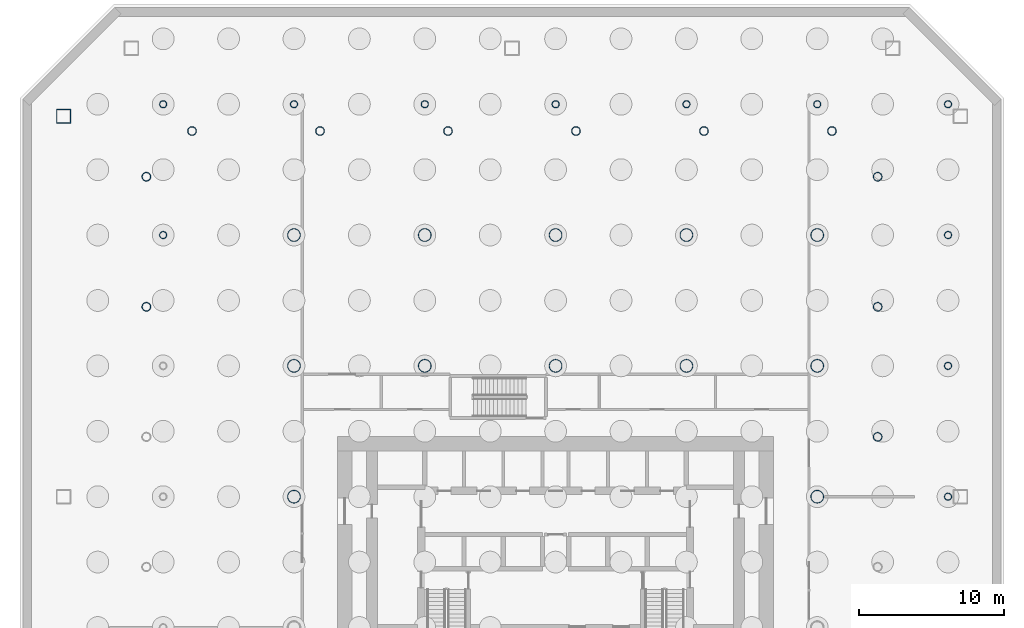
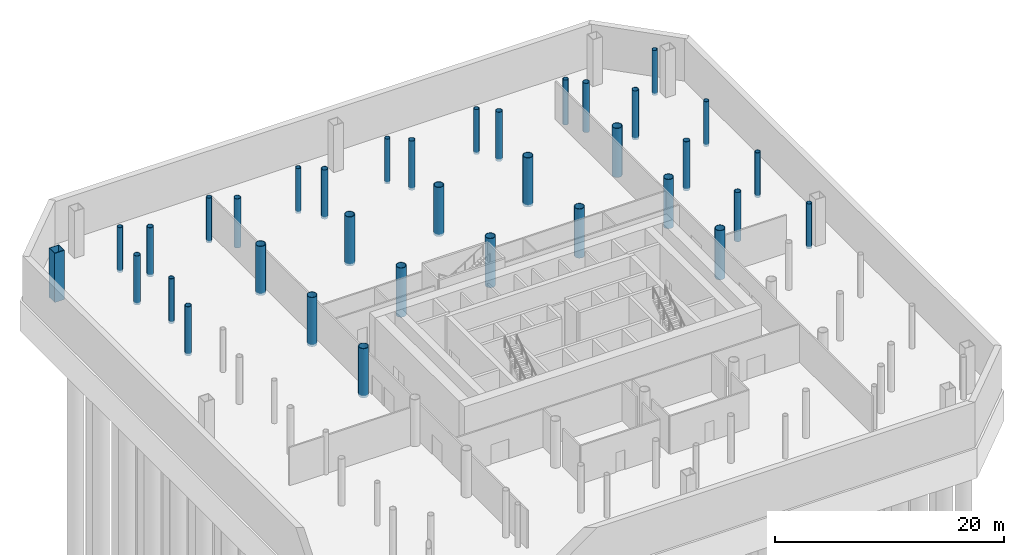
# One storey, part 3 of 10: 35 columns.
"""IFC4 building model written with IfcOpenShell, lengths in metres."""

from ifc_helpers import new_model, si_unit, direction, frame, origin, origin_2d, place, context, subcontext, project, spatial, hollow_rectangle, hollow_circle, extrude, material, material_profile, profile_set, type_object, element, save


model = new_model("IFC4")

# Units and contexts
model_context = context("Model", 3, precision=1e-05, world=origin(), true_north=direction((0.0, 1.0)))
body_context = subcontext(model_context, "Body", "Model", "MODEL_VIEW")
ifc_project = project(units=[si_unit("LENGTHUNIT", "METRE"), si_unit("AREAUNIT", "SQUARE_METRE"), si_unit("VOLUMEUNIT", "CUBIC_METRE"), si_unit("PLANEANGLEUNIT", "RADIAN"), si_unit("MASSUNIT", "GRAM", prefix="KILO")], contexts=[model_context])

# Site, building, storey
site_placement = place(None, origin())
site = spatial("IfcSite", under=ifc_project, at=site_placement, CompositionType="ELEMENT")
building_placement = place(site_placement, origin())
building = spatial("IfcBuilding", under=site, at=building_placement, Name="Tskaro Facet Tower", CompositionType="ELEMENT")
storey_placement = place(building_placement, frame((0.0, 0.0, -5.0)))
storey = spatial("IfcBuildingStorey", under=building, at=storey_placement, Name="B1", CompositionType="ELEMENT", Elevation=-5.0)

# Columns
ifc_material_1 = material(Name="Steel S460M", Category="steel")
ifc_material_profile_1 = material_profile(ifc_material_1, hollow_rectangle(XDim=1.0, YDim=1.0, WallThickness=0.06005859375, at=origin_2d()), Name="BOX 1000x1000x60")
ifc_profile_set_1 = profile_set([ifc_material_profile_1], Name="Steel S460M")
column_type_1 = type_object("IfcColumnType", Name="BOX 1000x1000x60 mega column", PredefinedType="COLUMN", material=ifc_profile_set_1)
column_placement = place(storey_placement, frame((-33.85009765625, 26.180908203125, -0.25), z_axis=(0.0, 0.0, 1.0), x_axis=(1.0, 0.0, 0.0)))
element("IfcColumn", 1, at=column_placement, inside=storey, type_object=column_type_1, Name="BOX 1000x1000x60 MC10/G", PredefinedType="COLUMN", context=body_context, shape_type="SweptSolid", body=[
    extrude(hollow_rectangle(XDim=1.0, YDim=1.0, WallThickness=0.06005859375, at=origin_2d()), origin(), (0.0, 0.0, 1.0), 5.25),
])
ifc_material_2 = material(Name="Steel S355J2H", Category="steel")
ifc_material_profile_2 = material_profile(ifc_material_2, hollow_circle(Radius=0.25390625, WallThickness=0.030029296875, at=origin_2d()), Name="CHS 508x30")
ifc_profile_set_2 = profile_set([ifc_material_profile_2], Name="Steel S355J2H")
column_type_2 = type_object("IfcColumnType", Name="CHS 508x30 basement column", PredefinedType="COLUMN", material=ifc_profile_set_2)
for number, where, z_axis, x_axis, name in (
    (2, (-27.0, 18.0, -0.25), (0.0, 0.0, 1.0), (1.0, 0.0, 0.0), "CHS 508x30 BC1F"),
    (3, (-27.0, 27.0, -0.25), (0.0, 0.0, 1.0), (1.0, 0.0, 0.0), "CHS 508x30 BC1G"),
    (4, (-18.0, 27.0, -0.25), (0.0, 0.0, 1.0), (1.0, 0.0, 0.0), "CHS 508x30 BC2G"),
    (5, (-9.0, 27.0, -0.25), (0.0, 0.0, 1.0), (1.0, 0.0, 0.0), "CHS 508x30 BC3G"),
    (6, (0.0, 27.0, -0.25), (0.0, 0.0, 1.0), (1.0, 0.0, 0.0), "CHS 508x30 BC4G"),
    (7, (9.0, 27.0, -0.25), (0.0, 0.0, 1.0), (1.0, 0.0, 0.0), "CHS 508x30 BC5G"),
    (8, (18.0, 27.0, -0.25), (0.0, 0.0, 1.0), (1.0, 0.0, 0.0), "CHS 508x30 BC6G"),
    (9, (27.0, 0.0, -0.25), (0.0, 0.0, 1.0), (1.0, 0.0, 0.0), "CHS 508x30 BC7D"),
    (10, (27.0, 9.0, -0.25), (0.0, 0.0, 1.0), (1.0, 0.0, 0.0), "CHS 508x30 BC7E"),
    (11, (27.0, 18.0, -0.25), (0.0, 0.0, 1.0), (1.0, 0.0, 0.0), "CHS 508x30 BC7F"),
    (12, (27.0, 27.0, -0.25), (0.0, 0.0, 1.0), (1.0, 0.0, 0.0), "CHS 508x30 BC7G"),
):
    element("IfcColumn", number, at=place(storey_placement, frame(where, z_axis=z_axis, x_axis=x_axis)), inside=storey, type_object=column_type_2, Name=name, PredefinedType="COLUMN", context=body_context, shape_type="SweptSolid", body=[
        extrude(hollow_circle(Radius=0.25390625, WallThickness=0.030029296875, at=origin_2d()), origin(), (0.0, 0.0, 1.0), 4.800048828125),
    ])
ifc_material_profile_3 = material_profile(ifc_material_2, hollow_circle(Radius=0.304931640625, WallThickness=0.030029296875, at=origin_2d()), Name="CHS 610x30")
ifc_profile_set_3 = profile_set([ifc_material_profile_3], Name="Steel S355J2H")
column_type_3 = type_object("IfcColumnType", Name="CHS 610x30 ring column", PredefinedType="COLUMN", material=ifc_profile_set_3)
for number, where, z_axis, x_axis, name in (
    (13, (22.156982421875, 4.115966796875, -0.25), (0.0, 0.0, 1.0), (1.0, 0.0, 0.0), "CHS 610x30 RE-4/1"),
    (14, (22.156982421875, 13.06396484375, -0.25), (0.0, 0.0, 1.0), (1.0, 0.0, 0.0), "CHS 610x30 RE-5/1"),
    (15, (22.156982421875, 22.011962890625, -0.25), (0.0, 0.0, 1.0), (1.0, 0.0, 0.0), "CHS 610x30 RNE-1/1"),
    (16, (19.011962890625, 25.156982421875, -0.25), (0.0, 0.0, 1.0), (1.0, 0.0, 0.0), "CHS 610x30 RN-1/1"),
    (17, (10.20703125, 25.156982421875, -0.25), (0.0, 0.0, 1.0), (1.0, 0.0, 0.0), "CHS 610x30 RN-2/1"),
    (18, (1.402099609375, 25.156982421875, -0.25), (0.0, 0.0, 1.0), (1.0, 0.0, 0.0), "CHS 610x30 RN-3/1"),
    (19, (-7.402099609375, 25.156982421875, -0.25), (0.0, 0.0, 1.0), (1.0, 0.0, 0.0), "CHS 610x30 RN-4/1"),
    (20, (-16.20703125, 25.156982421875, -0.25), (0.0, 0.0, 1.0), (1.0, 0.0, 0.0), "CHS 610x30 RN-5/1"),
    (21, (-25.011962890625, 25.156982421875, -0.25), (0.0, 0.0, 1.0), (1.0, 0.0, 0.0), "CHS 610x30 RNW-1/1"),
    (22, (-28.156982421875, 22.011962890625, -0.25), (0.0, 0.0, 1.0), (1.0, 0.0, 0.0), "CHS 610x30 RW-1/1"),
    (23, (-28.156982421875, 13.06396484375, -0.25), (0.0, 0.0, 1.0), (1.0, 0.0, 0.0), "CHS 610x30 RW-2/1"),
):
    element("IfcColumn", number, at=place(storey_placement, frame(where, z_axis=z_axis, x_axis=x_axis)), inside=storey, type_object=column_type_3, Name=name, PredefinedType="COLUMN", context=body_context, shape_type="SweptSolid", body=[
        extrude(hollow_circle(Radius=0.304931640625, WallThickness=0.030029296875, at=origin_2d()), origin(), (0.0, 0.0, 1.0), 5.25),
    ])
ifc_material_profile_4 = material_profile(ifc_material_2, hollow_circle(Radius=0.457275390625, WallThickness=0.050048828125, at=origin_2d()), Name="CHS 914.4x50")
ifc_profile_set_4 = profile_set([ifc_material_profile_4], Name="Steel S355J2H")
column_type_4 = type_object("IfcColumnType", Name="CHS 914.4x50 interior column", PredefinedType="COLUMN", material=ifc_profile_set_4)
for number, where, z_axis, x_axis, name in (
    (24, (-18.0, 0.0, -0.25), (0.0, 0.0, 1.0), (1.0, 0.0, 0.0), "CHS 914.4x50 C2D/1"),
    (25, (-18.0, 9.0, -0.25), (0.0, 0.0, 1.0), (1.0, 0.0, 0.0), "CHS 914.4x50 C2E/1"),
    (26, (-18.0, 18.0, -0.25), (0.0, 0.0, 1.0), (1.0, 0.0, 0.0), "CHS 914.4x50 C2F/1"),
    (27, (-9.0, 9.0, -0.25), (0.0, 0.0, 1.0), (1.0, 0.0, 0.0), "CHS 914.4x50 C3E/1"),
    (28, (-9.0, 18.0, -0.25), (0.0, 0.0, 1.0), (1.0, 0.0, 0.0), "CHS 914.4x50 C3F/1"),
    (29, (0.0, 9.0, -0.25), (0.0, 0.0, 1.0), (1.0, 0.0, 0.0), "CHS 914.4x50 C4E/1"),
    (30, (0.0, 18.0, -0.25), (0.0, 0.0, 1.0), (1.0, 0.0, 0.0), "CHS 914.4x50 C4F/1"),
    (31, (9.0, 9.0, -0.25), (0.0, 0.0, 1.0), (1.0, 0.0, 0.0), "CHS 914.4x50 C5E/1"),
    (32, (9.0, 18.0, -0.25), (0.0, 0.0, 1.0), (1.0, 0.0, 0.0), "CHS 914.4x50 C5F/1"),
    (33, (18.0, 0.0, -0.25), (0.0, 0.0, 1.0), (1.0, 0.0, 0.0), "CHS 914.4x50 C6D/1"),
    (34, (18.0, 9.0, -0.25), (0.0, 0.0, 1.0), (1.0, 0.0, 0.0), "CHS 914.4x50 C6E/1"),
    (35, (18.0, 18.0, -0.25), (0.0, 0.0, 1.0), (1.0, 0.0, 0.0), "CHS 914.4x50 C6F/1"),
):
    element("IfcColumn", number, at=place(storey_placement, frame(where, z_axis=z_axis, x_axis=x_axis)), inside=storey, type_object=column_type_4, Name=name, PredefinedType="COLUMN", context=body_context, shape_type="SweptSolid", body=[
        extrude(hollow_circle(Radius=0.457275390625, WallThickness=0.050048828125, at=origin_2d()), origin(), (0.0, 0.0, 1.0), 5.25),
    ])

save(model, "model.ifc")
